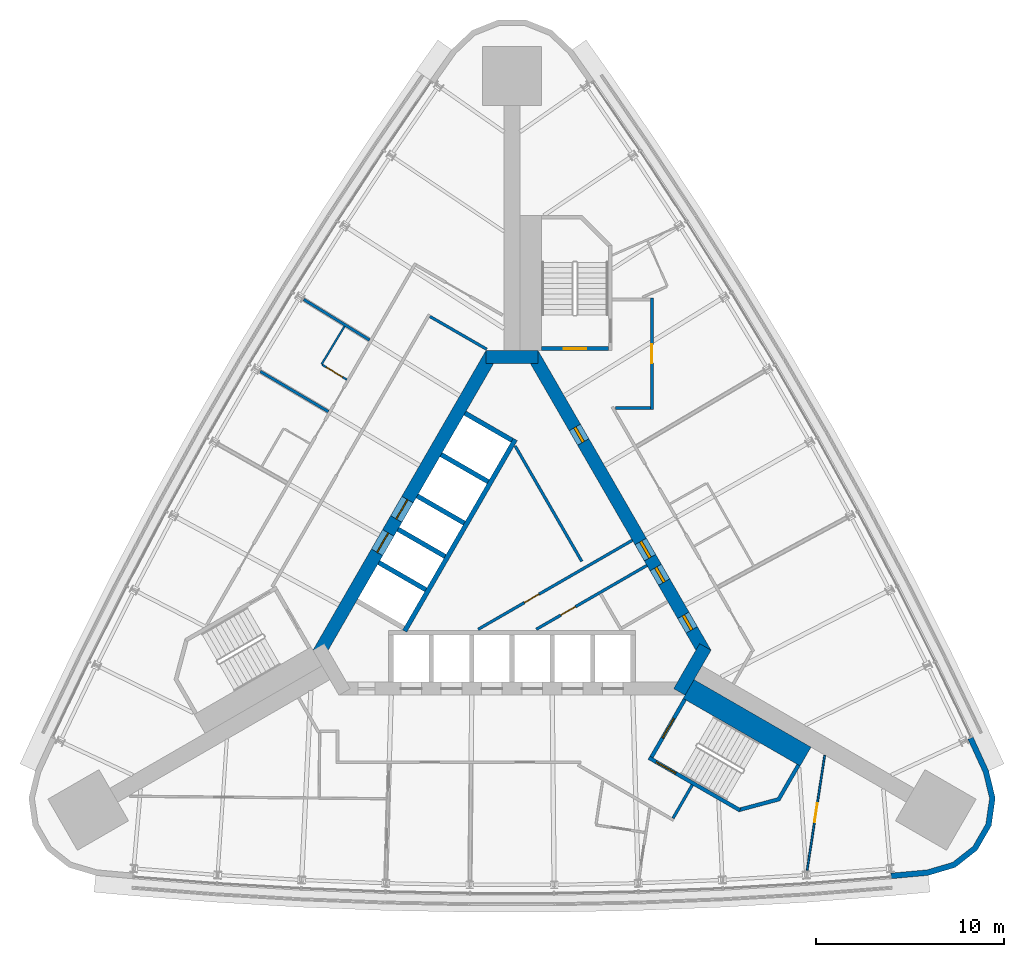
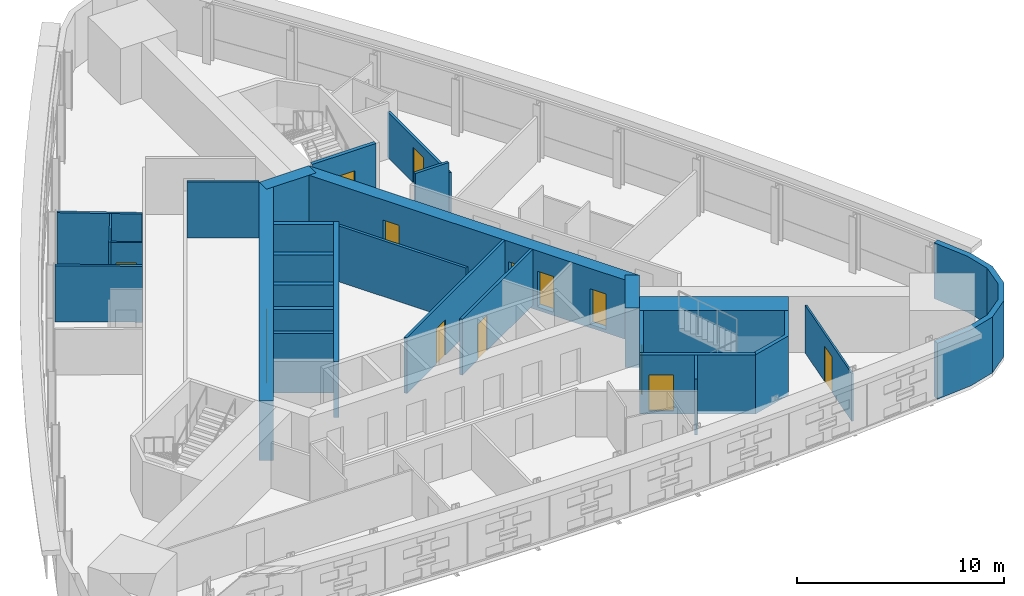
# One storey, part 9 of 13: 28 walls, 14 doors, 14 openings.
"""IFC4 building model written with IfcOpenShell, lengths in metres."""

import ifcopenshell
import ifcopenshell.guid

model = None  # the IFC model being written
_history = None  # IfcOwnerHistory: only IFC2X3 demands one
_inside = {}  # id of a spatial element -> (the spatial element, [elements in it])
_under = {}  # id of a project, library or spatial element -> (it, [spatial elements below it])
_declared = {}  # id of a project -> (the project, [libraries it declares])
_typed = {}  # id of a type object -> (the type object, [elements of that type])
_made_of = {}  # id of a material, layer set ... -> (it, [elements and type objects made of it])


def new_model(schema):
    """Start an empty IFC model of exactly this schema.

    Asked for "IFC4X3", IfcOpenShell would pick the latest addendum, in which some entities
    have other attributes; the version numbers below select the first issue.
    IFC2X3 requires an IfcOwnerHistory on every rooted entity: one is made here for all.
    """
    global model, _history
    if schema == "IFC4X3":
        model = ifcopenshell.file(schema_version=(4, 3, 0, 0))
    else:
        model = ifcopenshell.file(schema=schema)
    _inside.clear()
    _under.clear()
    _declared.clear()
    _typed.clear()
    _made_of.clear()
    _history = None
    if model.schema == "IFC2X3":
        org = make("IfcOrganization", Name="unknown")
        user = make(
            "IfcPersonAndOrganization",
            ThePerson=make("IfcPerson", FamilyName="unknown"),
            TheOrganization=org,
        )
        app = make(
            "IfcApplication",
            ApplicationDeveloper=org,
            Version="unknown",
            ApplicationFullName="unknown",
            ApplicationIdentifier="unknown",
        )
        _history = make(
            "IfcOwnerHistory",
            OwningUser=user,
            OwningApplication=app,
            ChangeAction="ADDED",
            CreationDate=0,
        )
    return model


def make(cls, **values):
    """One entity of the class cls with the attributes given. An attribute that is None is left unset."""
    return model.create_entity(
        cls, **{name: value for name, value in values.items() if value is not None}
    )


def rooted(cls, **values):
    """An entity with a GlobalId (a new one), such as an element, a storey or a relation."""
    return make(cls, GlobalId=ifcopenshell.guid.new(), OwnerHistory=_history, **values)


def si_unit(unit_type, name, prefix=None):
    """IfcSIUnit, for example si_unit("LENGTHUNIT", "METRE", prefix="MILLI")."""
    return make("IfcSIUnit", UnitType=unit_type, Prefix=prefix, Name=name)


def assignment(units):
    """IfcUnitAssignment: the units of a project."""
    return None if units is None else make("IfcUnitAssignment", Units=units)


def point(xyz):
    """IfcCartesianPoint."""
    return None if xyz is None else make("IfcCartesianPoint", Coordinates=xyz)


def direction(xyz):
    """IfcDirection."""
    return None if xyz is None else make("IfcDirection", DirectionRatios=xyz)


def frame(location, z_axis=None, x_axis=None):
    """IfcAxis2Placement3D, a coordinate frame: its origin and axes. An axis left out is left unset."""
    return make(
        "IfcAxis2Placement3D",
        Location=point(location),
        Axis=direction(z_axis),
        RefDirection=direction(x_axis),
    )


def frame_2d(location, x_axis=None):
    """IfcAxis2Placement2D, a coordinate frame in the plane: its origin and x axis."""
    return make(
        "IfcAxis2Placement2D", Location=point(location), RefDirection=direction(x_axis)
    )


def origin():
    """The frame at (0, 0, 0) with its axes left unset."""
    return frame((0.0, 0.0, 0.0))


def place(relative_to, where):
    """IfcLocalPlacement: puts the frame where relative to a parent placement (None: the world)."""
    return make(
        "IfcLocalPlacement", PlacementRelTo=relative_to, RelativePlacement=where
    )


def context(
    kind, dimensions, precision=None, world=None, true_north=None, identifier=None
):
    """IfcGeometricRepresentationContext, for example the 3D "Model" context."""
    return make(
        "IfcGeometricRepresentationContext",
        ContextIdentifier=identifier,
        ContextType=kind,
        CoordinateSpaceDimension=dimensions,
        Precision=precision,
        WorldCoordinateSystem=world,
        TrueNorth=true_north,
    )


def subcontext(parent, identifier, kind, view, scale=None):
    """IfcGeometricRepresentationSubContext, for example "Body" below "Model"."""
    return make(
        "IfcGeometricRepresentationSubContext",
        ContextIdentifier=identifier,
        ContextType=kind,
        ParentContext=parent,
        TargetScale=scale,
        TargetView=view,
    )


def project(units=None, contexts=None):
    """IfcProject with its units and contexts."""
    return rooted(
        "IfcProject",
        Name="project",
        RepresentationContexts=contexts,
        UnitsInContext=assignment(units),
    )


def spatial(cls, under=None, at=None, **own):
    """A site, building, storey or space (cls), placed at a placement, below another one or the project."""
    s = rooted(cls, ObjectPlacement=at, **own)
    if under is not None:
        _under.setdefault(under.id(), (under, []))[1].append(s)
    return s


def polyline(points):
    """IfcPolyline through the points."""
    return make("IfcPolyline", Points=[point(p) for p in points])


def profile(cls, at=None, kind="AREA", **sizes):
    """A parametric profile (cls). Its sizes go by their IFC names, for example OverallWidth=200.0."""
    return make(cls, ProfileType=kind, Position=at, **sizes)


def rectangle(**sizes):
    """IfcRectangleProfileDef."""
    return profile("IfcRectangleProfileDef", **sizes)


def outline(outer, holes=None, kind="AREA"):
    """IfcArbitraryClosedProfileDef: a profile drawn as a closed curve; with holes, ...WithVoids."""
    if holes is None:
        return make("IfcArbitraryClosedProfileDef", ProfileType=kind, OuterCurve=outer)
    return make(
        "IfcArbitraryProfileDefWithVoids",
        ProfileType=kind,
        OuterCurve=outer,
        InnerCurves=holes,
    )


def extrude(swept, where, along, depth):
    """IfcExtrudedAreaSolid: the profile swept, set in the frame where, extruded along a direction by depth."""
    return make(
        "IfcExtrudedAreaSolid",
        SweptArea=swept,
        Position=where,
        ExtrudedDirection=direction(along),
        Depth=depth,
    )


def shape(context_of_items, identifier, shape_type, items):
    """IfcShapeRepresentation: the items that make up one representation, for example the "Body"."""
    return make(
        "IfcShapeRepresentation",
        ContextOfItems=context_of_items,
        RepresentationIdentifier=identifier,
        RepresentationType=shape_type,
        Items=items,
    )


def material(Name=None, Category=None):
    """IfcMaterial."""
    return make("IfcMaterial", Name=Name, Category=Category)


def layer(
    of_material, thickness, ventilated=None, Name=None, Category=None, Priority=None
):
    """IfcMaterialLayer: one layer of a wall or slab, of a material (None: an air gap)."""
    return make(
        "IfcMaterialLayer",
        Material=of_material,
        LayerThickness=thickness,
        IsVentilated=ventilated,
        Name=Name,
        Category=Category,
        Priority=Priority,
    )


def layer_set(layers, Name=None):
    """IfcMaterialLayerSet."""
    return make("IfcMaterialLayerSet", MaterialLayers=layers, LayerSetName=Name)


def made_of(thing, what):
    """Note that an element or type object is made of a material, layer set ...; save() writes the relation."""
    if what is not None:
        _made_of.setdefault(what.id(), (what, []))[1].append(thing)
    return thing


def type_object(cls, material=None, **own):
    """A type object (cls), such as IfcWallType, which elements share."""
    return made_of(rooted(cls, **own), material)


def element(
    cls,
    number,
    at=None,
    inside=None,
    cuts=None,
    type_object=None,
    material=None,
    context=None,
    identifier="Body",
    shape_type=None,
    held_by="IfcProductDefinitionShape",
    body=None,
    shapes=None,
    **own,
):
    """One element of the class cls, such as IfcWall. Its Tag is "e" and its number.

    at: its placement. inside: the storey or other place that contains it. cuts: it is an
    opening in that element (IfcRelVoidsElement). A single representation is given by context,
    identifier, shape_type and body (its items); several are given by shapes. held_by: the class
    of the entity that holds the representations. save() writes the other relations.
    """
    e = rooted(cls, Tag="e%d" % number, ObjectPlacement=at, **own)
    if body is not None:
        shapes = [shape(context, identifier, shape_type, body)]
    if shapes is not None:
        e.Representation = make(held_by, Representations=shapes)
    if inside is not None:
        _inside.setdefault(inside.id(), (inside, []))[1].append(e)
    if cuts is not None:
        rooted(
            "IfcRelVoidsElement", RelatingBuildingElement=cuts, RelatedOpeningElement=e
        )
    if type_object is not None:
        _typed.setdefault(type_object.id(), (type_object, []))[1].append(e)
    return made_of(e, material)


def fill(opening, filler):
    """IfcRelFillsElement: the door or window that sits in an opening."""
    return rooted(
        "IfcRelFillsElement",
        RelatingOpeningElement=opening,
        RelatedBuildingElement=filler,
    )


def aggregate(whole, parts):
    """IfcRelAggregates: a whole, such as a stair, and the parts it consists of."""
    return rooted("IfcRelAggregates", RelatingObject=whole, RelatedObjects=parts)


def save(model, path):
    """Write the relations noted so far, then the file.

    IfcRelAggregates (storeys below a building ...), IfcRelContainedInSpatialStructure (elements
    in a storey), IfcRelDefinesByType, IfcRelAssociatesMaterial and IfcRelDeclares: one each for
    every whole, place, type object, material and project.
    """
    for whole, parts in _under.values():
        aggregate(whole, parts)
    for where, things in _inside.values():
        rooted(
            "IfcRelContainedInSpatialStructure",
            RelatedElements=things,
            RelatingStructure=where,
        )
    for kind, things in _typed.values():
        rooted("IfcRelDefinesByType", RelatedObjects=things, RelatingType=kind)
    for what, things in _made_of.values():
        rooted("IfcRelAssociatesMaterial", RelatedObjects=things, RelatingMaterial=what)
    for by, libraries in _declared.values():
        rooted("IfcRelDeclares", RelatingContext=by, RelatedDefinitions=libraries)
    model.write(path)


model = new_model("IFC4")

# Units and contexts
model_context = context("Model", 3, precision=1e-05, world=origin(), true_north=direction((0.0, 1.0)))
body_context = subcontext(model_context, "Body", "Model", "MODEL_VIEW")
ifc_project = project(units=[si_unit("LENGTHUNIT", "METRE"), si_unit("AREAUNIT", "SQUARE_METRE"), si_unit("VOLUMEUNIT", "CUBIC_METRE"), si_unit("PLANEANGLEUNIT", "RADIAN"), si_unit("MASSUNIT", "GRAM", prefix="KILO")], contexts=[model_context])

# Site, building, storey
site_placement = place(None, origin())
site = spatial("IfcSite", under=ifc_project, at=site_placement, CompositionType="ELEMENT")
building_placement = place(site_placement, origin())
building = spatial("IfcBuilding", under=site, at=building_placement, Name="Noor Cloister Tower", CompositionType="ELEMENT")
storey_placement = place(building_placement, frame((0.0, 0.0, 83.39990234375)))
storey = spatial("IfcBuildingStorey", under=building, at=storey_placement, Name="L21", CompositionType="ELEMENT", Elevation=83.39990234375)

# Wall, opening, door
ifc_material_1 = material(Name="Concrete C30/37", Category="concrete")
ifc_layer_1 = layer(ifc_material_1, 0.14990234375)
ifc_layer_set_1 = layer_set([ifc_layer_1], Name="Core partition 150 C30/37")
wall_type_1 = type_object("IfcWallType", Name="Core partition 150 C30/37", PredefinedType="PARTITIONING", material=ifc_layer_set_1)
wall_1_placement = place(storey_placement, frame((-1.804443359375, -3.4130859375, 0.0), z_axis=(0.0, 0.0, 1.0), x_axis=(0.866035761792, 0.499982058975, 0.0)))
wall_1 = element("IfcWall", 1, at=wall_1_placement, inside=storey, type_object=wall_type_1, Name="Core room partition L21 1", PredefinedType="PARTITIONING", context=body_context, shape_type="SweptSolid", body=[
    extrude(rectangle(XDim=9.497314453125, YDim=0.14990234375, at=frame_2d((4.74853515625, 0.0))), origin(), (0.0, 0.0, 1.0), 3.300048828125),
])
opening_1_placement = place(wall_1_placement, frame((2.849609375, 0.0, 0.0)))
opening_1 = element("IfcOpeningElement", 2, at=opening_1_placement, cuts=wall_1, Name="Opening L21-906", PredefinedType="OPENING", context=body_context, shape_type="SweptSolid", body=[
    extrude(rectangle(XDim=0.89990234375, YDim=2.10009765625, at=frame_2d((0.449951171875, 1.050048828125))), frame((0.0, 0.0849609375, 0.0), z_axis=(0.0, -1.0, 0.0), x_axis=(1.0, 0.0, 0.0)), (0.0, 0.0, 1.0), 0.169921875),
])
ifc_material_2 = material(Name="Steel", Category="steel")
door_type_1 = type_object("IfcDoorType", Name="Core door 900 x 2100 FD60", OperationType="SINGLE_SWING_LEFT", PredefinedType="DOOR", material=ifc_material_2)
door_1_placement = place(opening_1_placement, origin())
door_1 = element("IfcDoor", 3, at=door_1_placement, inside=storey, type_object=door_type_1, Name="Core door 6 L21", OperationType="SINGLE_SWING_RIGHT", OverallHeight=2.10009765625, OverallWidth=0.89990234375, PredefinedType="DOOR", context=body_context, shape_type="SweptSolid", body=[
    extrude(rectangle(XDim=0.89990234375, YDim=2.10009765625, at=frame_2d((0.449951171875, 1.050048828125))), frame((0.0, 0.02490234375, 0.0), z_axis=(0.0, -1.0, 0.0), x_axis=(1.0, 0.0, 0.0)), (0.0, 0.0, 1.0), 0.050048828125),
])
fill(opening_1, door_1)

# Wall
wall_2_placement = place(storey_placement, frame((3.7216796875, 0.210205078125, 0.0), z_axis=(0.0, 0.0, 1.0), x_axis=(-0.500005825834, 0.866022040212, 0.0)))
element("IfcWall", 4, at=wall_2_placement, inside=storey, type_object=wall_type_1, Name="Core room partition L21 2", PredefinedType="PARTITIONING", context=body_context, shape_type="SweptSolid", body=[
    extrude(rectangle(XDim=7.10986328125, YDim=0.14990234375, at=frame_2d((3.554931640625, 0.0))), origin(), (0.0, 0.0, 1.0), 3.300048828125),
])

# Wall, opening, door
wall_3_placement = place(storey_placement, frame((1.295654296875, -3.4130859375, 0.0), z_axis=(0.0, 0.0, 1.0), x_axis=(0.866029230515, 0.49999337185, 0.0)))
wall_3 = element("IfcWall", 5, at=wall_3_placement, inside=storey, type_object=wall_type_1, Name="Core room partition L21 3", PredefinedType="PARTITIONING", context=body_context, shape_type="SweptSolid", body=[
    extrude(rectangle(XDim=6.8125, YDim=0.14990234375, at=frame_2d((3.40625, 0.0))), origin(), (0.0, 0.0, 1.0), 3.300048828125),
])
opening_2_placement = place(wall_3_placement, frame((1.50732421875, 0.0, 0.0)))
opening_2 = element("IfcOpeningElement", 6, at=opening_2_placement, cuts=wall_3, Name="Opening L21-905", PredefinedType="OPENING", context=body_context, shape_type="SweptSolid", body=[
    extrude(rectangle(XDim=0.89990234375, YDim=2.10009765625, at=frame_2d((0.449951171875, 1.050048828125))), frame((0.0, 0.0849609375, 0.0), z_axis=(0.0, -1.0, 0.0), x_axis=(1.0, 0.0, 0.0)), (0.0, 0.0, 1.0), 0.169921875),
])
ifc_material_3 = material(Name="Steel", Category="steel")
door_type_2 = type_object("IfcDoorType", Name="Core door 900 x 2100 FD120", OperationType="SINGLE_SWING_LEFT", PredefinedType="DOOR", material=ifc_material_3)
door_2_placement = place(opening_2_placement, origin())
door_2 = element("IfcDoor", 7, at=door_2_placement, inside=storey, type_object=door_type_2, Name="Core door 5 L21", OperationType="SINGLE_SWING_LEFT", OverallHeight=2.10009765625, OverallWidth=0.89990234375, PredefinedType="DOOR", context=body_context, shape_type="SweptSolid", body=[
    extrude(rectangle(XDim=0.89990234375, YDim=2.10009765625, at=frame_2d((0.449951171875, 1.050048828125))), frame((0.0, 0.02490234375, 0.0), z_axis=(0.0, -1.0, 0.0), x_axis=(1.0, 0.0, 0.0)), (0.0, 0.0, 1.0), 0.050048828125),
])
fill(opening_2, door_2)

# Wall
ifc_material_4 = material(Name="Concrete C80/95", Category="concrete")
ifc_layer_2 = layer(ifc_material_4, 0.699951171875)
ifc_layer_set_2 = layer_set([ifc_layer_2], Name="Core wall 700 C80/95")
wall_type_2 = type_object("IfcWallType", Name="Core wall 700 C80/95", PredefinedType="SHEAR", material=ifc_layer_set_2)
wall_4_placement = place(storey_placement, frame((8.925537109375, -6.753173828125, -0.199951171875), z_axis=(0.0, 0.0, 1.0), x_axis=(0.500042739161, 0.866000726912, 0.0)))
element("IfcWall", 8, at=wall_4_placement, inside=storey, type_object=wall_type_2, Name="Core wall L21 2", PredefinedType="SHEAR", context=body_context, shape_type="SweptSolid", body=[
    extrude(rectangle(XDim=2.771240234375, YDim=0.699951171875, at=frame_2d((1.3857421875, 0.0))), origin(), (0.0, 0.0, 1.0), 3.5),
])

# Wall, openings, doors
wall_5_placement = place(storey_placement, frame((10.311279296875, -4.703125, -0.199951171875), z_axis=(0.0, 0.0, 1.0), x_axis=(-0.500001446645, 0.866024568562, 0.0)))
wall_5 = element("IfcWall", 9, at=wall_5_placement, inside=storey, type_object=wall_type_2, Name="Core wall L21 3", PredefinedType="SHEAR", context=body_context, shape_type="SweptSolid", body=[
    extrude(rectangle(XDim=18.45751953125, YDim=0.699951171875, at=frame_2d((9.228759765625, 0.0))), origin(), (0.0, 0.0, 1.0), 3.5),
])
opening_3_placement = place(wall_5_placement, frame((5.89990234375, 0.0, 0.199951171875)))
opening_3 = element("IfcOpeningElement", 10, at=opening_3_placement, cuts=wall_5, Name="Opening L21-901", PredefinedType="OPENING", context=body_context, shape_type="SweptSolid", body=[
    extrude(rectangle(XDim=1.0, YDim=2.10009765625, at=frame_2d((0.5, 1.050048828125))), frame((0.0, 0.35986328125, 0.0), z_axis=(0.0, -1.0, 0.0), x_axis=(1.0, 0.0, 0.0)), (0.0, 0.0, 1.0), 0.719970703125),
])
opening_4_placement = place(wall_5_placement, frame((1.451904296875, 0.0, 0.199951171875)))
opening_4 = element("IfcOpeningElement", 11, at=opening_4_placement, cuts=wall_5, Name="Opening L21-902", PredefinedType="OPENING", context=body_context, shape_type="SweptSolid", body=[
    extrude(rectangle(XDim=0.89990234375, YDim=2.10009765625, at=frame_2d((0.449951171875, 1.050048828125))), frame((0.0, 0.35986328125, 0.0), z_axis=(0.0, -1.0, 0.0), x_axis=(1.0, 0.0, 0.0)), (0.0, 0.0, 1.0), 0.719970703125),
])
opening_5_placement = place(wall_5_placement, frame((4.39599609375, 0.0, 0.199951171875)))
opening_5 = element("IfcOpeningElement", 12, at=opening_5_placement, cuts=wall_5, Name="Opening L21-903", PredefinedType="OPENING", context=body_context, shape_type="SweptSolid", body=[
    extrude(rectangle(XDim=0.89990234375, YDim=2.10009765625, at=frame_2d((0.449951171875, 1.050048828125))), frame((0.0, 0.35986328125, 0.0), z_axis=(0.0, -1.0, 0.0), x_axis=(1.0, 0.0, 0.0)), (0.0, 0.0, 1.0), 0.719970703125),
])
opening_6_placement = place(wall_5_placement, frame((13.022705078125, 0.0, 0.199951171875)))
opening_6 = element("IfcOpeningElement", 13, at=opening_6_placement, cuts=wall_5, Name="Opening L21-904", PredefinedType="OPENING", context=body_context, shape_type="SweptSolid", body=[
    extrude(rectangle(XDim=0.89990234375, YDim=2.10009765625, at=frame_2d((0.449951171875, 1.050048828125))), frame((0.0, 0.35986328125, 0.0), z_axis=(0.0, -1.0, 0.0), x_axis=(1.0, 0.0, 0.0)), (0.0, 0.0, 1.0), 0.719970703125),
])
ifc_material_5 = material(Name="Steel", Category="steel")
door_type_3 = type_object("IfcDoorType", Name="Core door 1000 x 2100 FD120", OperationType="SINGLE_SWING_LEFT", PredefinedType="DOOR", material=ifc_material_5)
door_3_placement = place(opening_3_placement, origin())
door_3 = element("IfcDoor", 14, at=door_3_placement, inside=storey, type_object=door_type_3, Name="Core door 1 L21", OperationType="SINGLE_SWING_LEFT", OverallHeight=2.10009765625, OverallWidth=1.0, PredefinedType="DOOR", context=body_context, shape_type="SweptSolid", body=[
    extrude(rectangle(XDim=1.0, YDim=2.10009765625, at=frame_2d((0.5, 1.050048828125))), frame((0.0, 0.074951171875, 0.0), z_axis=(0.0, -1.0, 0.0), x_axis=(1.0, 0.0, 0.0)), (0.0, 0.0, 1.0), 0.14990234375),
])
fill(opening_3, door_3)
door_4_placement = place(opening_5_placement, origin())
door_4 = element("IfcDoor", 15, at=door_4_placement, inside=storey, type_object=door_type_2, Name="Core door 3 L21", OperationType="SINGLE_SWING_LEFT", OverallHeight=2.10009765625, OverallWidth=0.89990234375, PredefinedType="DOOR", context=body_context, shape_type="SweptSolid", body=[
    extrude(rectangle(XDim=0.89990234375, YDim=2.10009765625, at=frame_2d((0.449951171875, 1.050048828125))), frame((0.0, 0.074951171875, 0.0), z_axis=(0.0, -1.0, 0.0), x_axis=(1.0, 0.0, 0.0)), (0.0, 0.0, 1.0), 0.14990234375),
])
fill(opening_5, door_4)
door_5_placement = place(opening_6_placement, origin())
door_5 = element("IfcDoor", 16, at=door_5_placement, inside=storey, type_object=door_type_2, Name="Core door 4 L21", OperationType="SINGLE_SWING_RIGHT", OverallHeight=2.10009765625, OverallWidth=0.89990234375, PredefinedType="DOOR", context=body_context, shape_type="SweptSolid", body=[
    extrude(rectangle(XDim=0.89990234375, YDim=2.10009765625, at=frame_2d((0.449951171875, 1.050048828125))), frame((0.0, 0.074951171875, 0.0), z_axis=(0.0, -1.0, 0.0), x_axis=(1.0, 0.0, 0.0)), (0.0, 0.0, 1.0), 0.14990234375),
])
fill(opening_6, door_5)
door_6_placement = place(opening_4_placement, origin())
door_6 = element("IfcDoor", 17, at=door_6_placement, inside=storey, type_object=door_type_1, Name="Core door 2 L21", OperationType="SINGLE_SWING_RIGHT", OverallHeight=2.10009765625, OverallWidth=0.89990234375, PredefinedType="DOOR", context=body_context, shape_type="SweptSolid", body=[
    extrude(rectangle(XDim=0.89990234375, YDim=2.10009765625, at=frame_2d((0.449951171875, 1.050048828125))), frame((0.0, 0.074951171875, 0.0), z_axis=(0.0, -1.0, 0.0), x_axis=(1.0, 0.0, 0.0)), (0.0, 0.0, 1.0), 0.14990234375),
])
fill(opening_4, door_6)

# Wall
wall_6_placement = place(storey_placement, frame((1.3857421875, 11.1064453125, -0.199951171875), z_axis=(0.0, 0.0, 1.0), x_axis=(-1.0, 0.0, 0.0)))
element("IfcWall", 18, at=wall_6_placement, inside=storey, type_object=wall_type_2, Name="Core wall L21 4", PredefinedType="SHEAR", context=body_context, shape_type="SweptSolid", body=[
    extrude(rectangle(XDim=2.771484375, YDim=0.699951171875, at=frame_2d((1.3857421875, 0.0))), origin(), (0.0, 0.0, 1.0), 3.5),
])

# Wall, openings, doors
wall_7_placement = place(storey_placement, frame((-1.08251953125, 11.281494140625, -0.199951171875), z_axis=(0.0, 0.0, 1.0), x_axis=(-0.500001446645, -0.866024568562, 0.0)))
wall_7 = element("IfcWall", 19, at=wall_7_placement, inside=storey, type_object=wall_type_2, Name="Core wall L21 5", PredefinedType="SHEAR", context=body_context, shape_type="SweptSolid", body=[
    extrude(rectangle(XDim=18.45751953125, YDim=0.699951171875, at=frame_2d((9.228759765625, 0.0))), origin(), (0.0, 0.0, 1.0), 3.5),
])
opening_7_placement = place(wall_7_placement, frame((8.978759765625, 0.0, 0.199951171875)))
opening_7 = element("IfcOpeningElement", 20, at=opening_7_placement, cuts=wall_7, Name="Opening L21-FF1", PredefinedType="OPENING", context=body_context, shape_type="SweptSolid", body=[
    extrude(rectangle(XDim=1.199951171875, YDim=2.10009765625, at=frame_2d((0.60009765625, 1.050048828125))), frame((0.0, 0.35986328125, 0.0), z_axis=(0.0, -1.0, 0.0), x_axis=(1.0, 0.0, 0.0)), (0.0, 0.0, 1.0), 0.719970703125),
])
opening_8_placement = place(wall_7_placement, frame((11.02880859375, 0.0, 0.199951171875)))
opening_8 = element("IfcOpeningElement", 21, at=opening_8_placement, cuts=wall_7, Name="Opening L21-FF2", PredefinedType="OPENING", context=body_context, shape_type="SweptSolid", body=[
    extrude(rectangle(XDim=1.199951171875, YDim=2.10009765625, at=frame_2d((0.60009765625, 1.050048828125))), frame((0.0, 0.35986328125, 0.0), z_axis=(0.0, -1.0, 0.0), x_axis=(1.0, 0.0, 0.0)), (0.0, 0.0, 1.0), 0.719970703125),
])
ifc_material_6 = material(Name="Stainless steel", Category="steel")
door_type_4 = type_object("IfcDoorType", Name="Lift landing door 1200 x 2100", OperationType="DOUBLE_DOOR_SLIDING", PredefinedType="DOOR", material=ifc_material_6)
door_7_placement = place(opening_7_placement, origin())
door_7 = element("IfcDoor", 22, at=door_7_placement, inside=storey, type_object=door_type_4, Name="Landing door FF1 L21", OperationType="DOUBLE_DOOR_SLIDING", OverallHeight=2.10009765625, OverallWidth=1.199951171875, PredefinedType="DOOR", context=body_context, shape_type="SweptSolid", body=[
    extrude(rectangle(XDim=1.199951171875, YDim=2.10009765625, at=frame_2d((0.60009765625, 1.050048828125))), frame((0.0, 0.02490234375, 0.0), z_axis=(0.0, -1.0, 0.0), x_axis=(1.0, 0.0, 0.0)), (0.0, 0.0, 1.0), 0.050048828125),
])
fill(opening_7, door_7)
door_8_placement = place(opening_8_placement, origin())
door_8 = element("IfcDoor", 23, at=door_8_placement, inside=storey, type_object=door_type_4, Name="Landing door FF2 L21", OperationType="DOUBLE_DOOR_SLIDING", OverallHeight=2.10009765625, OverallWidth=1.199951171875, PredefinedType="DOOR", context=body_context, shape_type="SweptSolid", body=[
    extrude(rectangle(XDim=1.199951171875, YDim=2.10009765625, at=frame_2d((0.60009765625, 1.050048828125))), frame((0.0, 0.02490234375, 0.0), z_axis=(0.0, -1.0, 0.0), x_axis=(1.0, 0.0, 0.0)), (0.0, 0.0, 1.0), 0.050048828125),
])
fill(opening_8, door_8)

# Wall
ifc_material_7 = material(Name="Fire-rated gypsum board partition on steel studs, 150 mm", Category="steel")
ifc_layer_3 = layer(ifc_material_7, 0.14990234375)
ifc_layer_set_3 = layer_set([ifc_layer_3], Name="Fire lobby wall 150")
wall_type_3 = type_object("IfcWallType", Name="Fire lobby wall 150", PredefinedType="PARTITIONING", material=ifc_layer_set_3)
wall_8_placement = place(storey_placement, frame((-4.379150390625, 13.271484375, 0.0), z_axis=(0.0, 0.0, 1.0), x_axis=(0.866019471182, -0.500010275428, 0.0)))
element("IfcWall", 24, at=wall_8_placement, inside=storey, type_object=wall_type_3, Name="Fire lobby wall 150 L21 008", PredefinedType="PARTITIONING", context=body_context, shape_type="SweptSolid", body=[
    extrude(rectangle(XDim=3.5, YDim=0.14990234375, at=frame_2d((1.75, 0.0))), origin(), (0.0, 0.0, 1.0), 3.300048828125),
])

# Wall, opening, door
ifc_material_8 = material(Name="Gypsum board partition on steel studs, 150 mm", Category="steel")
ifc_layer_4 = layer(ifc_material_8, 0.14990234375)
ifc_layer_set_4 = layer_set([ifc_layer_4], Name="Flat wall 150")
wall_type_4 = type_object("IfcWallType", Name="Flat wall 150", PredefinedType="PARTITIONING", material=ifc_layer_set_4)
wall_9_placement = place(storey_placement, frame((7.460693359375, 14.25634765625, 0.0), z_axis=(0.0, 0.0, 1.0), x_axis=(0.0, -1.0, 0.0)))
wall_9 = element("IfcWall", 25, at=wall_9_placement, inside=storey, type_object=wall_type_4, Name="Flat wall 150 L21 005", PredefinedType="PARTITIONING", context=body_context, shape_type="SweptSolid", body=[
    extrude(rectangle(XDim=5.949951171875, YDim=0.14990234375, at=frame_2d((2.97509765625, 0.0))), origin(), (0.0, 0.0, 1.0), 2.677978515625),
])
opening_9_placement = place(wall_9_placement, frame((2.47509765625, 0.0, 0.0)))
opening_9 = element("IfcOpeningElement", 26, at=opening_9_placement, cuts=wall_9, Name="Opening L21-011", PredefinedType="OPENING", context=body_context, shape_type="SweptSolid", body=[
    extrude(rectangle(XDim=1.0, YDim=2.10009765625, at=frame_2d((0.5, 1.050048828125))), frame((0.0, 0.0849609375, 0.0), z_axis=(0.0, -1.0, 0.0), x_axis=(1.0, 0.0, 0.0)), (0.0, 0.0, 1.0), 0.169921875),
])
ifc_material_9 = material(Name="Timber door leaf with steel frame", Category="steel")
door_type_5 = type_object("IfcDoorType", Name="Flat entrance door 1000 FD60S", OperationType="NOTDEFINED", PredefinedType="DOOR", material=ifc_material_9)
door_9_placement = place(opening_9_placement, origin())
door_9 = element("IfcDoor", 27, at=door_9_placement, inside=storey, type_object=door_type_5, Name="Flat entrance door 1000 L21-011", OperationType="SINGLE_SWING_RIGHT", OverallHeight=2.10009765625, OverallWidth=1.0, PredefinedType="DOOR", context=body_context, shape_type="SweptSolid", body=[
    extrude(rectangle(XDim=1.0, YDim=2.10009765625, at=frame_2d((0.5, 1.050048828125))), frame((0.0, 0.02490234375, 0.0), z_axis=(0.0, -1.0, 0.0), x_axis=(1.0, 0.0, 0.0)), (0.0, 0.0, 1.0), 0.050048828125),
])
fill(opening_9, door_9)

# Walls
wall_10_placement = place(storey_placement, frame((8.588623046875, -13.48681640625, 0.0), z_axis=(0.0, 0.0, 1.0), x_axis=(0.499956128963, 0.866050731258, 0.0)))
element("IfcWall", 28, at=wall_10_placement, inside=storey, type_object=wall_type_4, Name="Flat wall 150 L21 010", PredefinedType="PARTITIONING", context=body_context, shape_type="SweptSolid", body=[
    extrude(rectangle(XDim=2.050048828125, YDim=0.14990234375, at=frame_2d((1.02490234375, 0.0))), origin(), (0.0, 0.0, 1.0), 3.300048828125),
])
wall_11_placement = place(storey_placement, frame((5.513671875, 8.38134765625, 0.0), z_axis=(0.0, 0.0, 1.0), x_axis=(1.0, 0.0, 0.0)))
element("IfcWall", 29, at=wall_11_placement, inside=storey, type_object=wall_type_4, Name="Flat wall 150 L21 013", PredefinedType="PARTITIONING", context=body_context, shape_type="SweptSolid", body=[
    extrude(rectangle(XDim=1.871826171875, YDim=0.14990234375, at=frame_2d((0.93603515625, 0.0))), origin(), (0.0, 0.0, 1.0), 3.300048828125),
])
wall_12_placement = place(storey_placement, frame((-13.421142578125, 10.337646484375, 0.0), z_axis=(0.0, 0.0, 1.0), x_axis=(0.861127198417, -0.508389563372, 0.0)))
element("IfcWall", 30, at=wall_12_placement, inside=storey, type_object=wall_type_4, Name="Flat wall 150 L21 020", PredefinedType="PARTITIONING", context=body_context, shape_type="SweptSolid", body=[
    extrude(rectangle(XDim=4.212890625, YDim=0.14990234375, at=frame_2d((2.1064453125, 0.0))), origin(), (0.0, 0.0, 1.0), 3.300048828125),
])
wall_13_placement = place(storey_placement, frame((-11.103759765625, 14.177001953125, 0.0), z_axis=(0.0, 0.0, 1.0), x_axis=(0.851052327985, -0.525080884276, 0.0)))
element("IfcWall", 31, at=wall_13_placement, inside=storey, type_object=wall_type_4, Name="Flat wall 150 L21 021", PredefinedType="PARTITIONING", context=body_context, shape_type="SweptSolid", body=[
    extrude(rectangle(XDim=4.1259765625, YDim=0.14990234375, at=frame_2d((2.06298828125, 0.0))), origin(), (0.0, 0.0, 1.0), 3.300048828125),
])
ifc_material_10 = material(Name="Limestone", Category="masonry")
ifc_layer_5 = layer(ifc_material_10, 0.300048828125)
ifc_layer_set_5 = layer_set([ifc_layer_5], Name="Limestone cladding 300")
wall_type_5 = type_object("IfcWallType", Name="Limestone cladding 300", PredefinedType="NOTDEFINED", material=ifc_layer_set_5)
wall_14_placement = place(storey_placement, origin())
element("IfcWall", 32, at=wall_14_placement, inside=storey, type_object=wall_type_5, Name="Limestone pier cladding L21 2.1", PredefinedType="NOTDEFINED", context=body_context, shape_type="SweptSolid", body=[
    extrude(outline(polyline([(20.22412109375, -16.7158203125), (22.203125, -16.533447265625), (23.636474609375, -16.111083984375), (24.810546875, -15.18701171875), (25.5576171875, -13.89306640625), (25.770751953125, -12.4140625), (25.419921875, -10.961669921875), (24.58837890625, -9.15673828125), (24.31591796875, -9.2822265625), (25.135009765625, -11.060791015625), (25.465576171875, -12.428466796875), (25.268798828125, -13.79296875), (24.57958984375, -14.987060546875), (23.49609375, -15.839599609375), (22.146484375, -16.2373046875), (20.196533203125, -16.417236328125), (20.22412109375, -16.7158203125)])), origin(), (0.0, 0.0, 1.0), 3.300048828125),
])

# Wall, opening, door
ifc_material_11 = material(Name="Gypsum board partition on steel studs, 100 mm", Category="steel")
ifc_layer_6 = layer(ifc_material_11, 0.10009765625)
ifc_layer_set_6 = layer_set([ifc_layer_6], Name="Partition 100")
wall_type_6 = type_object("IfcWallType", Name="Partition 100", PredefinedType="PARTITIONING", material=ifc_layer_set_6)
wall_15_placement = place(storey_placement, frame((16.673828125, -10.138427734375, 0.0), z_axis=(0.0, 0.0, 1.0), x_axis=(-0.150869779888, -0.98855364524, 0.0)))
wall_15 = element("IfcWall", 33, at=wall_15_placement, inside=storey, type_object=wall_type_6, Name="Partition 100 L21 023", PredefinedType="PARTITIONING", context=body_context, shape_type="SweptSolid", body=[
    extrude(rectangle(XDim=6.1962890625, YDim=0.10009765625, at=frame_2d((3.09814453125, 0.0))), origin(), (0.0, 0.0, 1.0), 2.822998046875),
])
opening_10_placement = place(wall_15_placement, frame((2.58837890625, 0.0, 0.0)))
opening_10 = element("IfcOpeningElement", 34, at=opening_10_placement, cuts=wall_15, Name="Opening L21-014", PredefinedType="OPENING", context=body_context, shape_type="SweptSolid", body=[
    extrude(rectangle(XDim=1.0, YDim=2.10009765625, at=frame_2d((0.5, 1.050048828125))), frame((0.0, 0.06005859375, 0.0), z_axis=(0.0, -1.0, 0.0), x_axis=(1.0, 0.0, 0.0)), (0.0, 0.0, 1.0), 0.1201171875),
])
ifc_material_12 = material(Name="Timber door leaf with steel frame", Category="steel")
door_type_6 = type_object("IfcDoorType", Name="Interior door 1000", OperationType="NOTDEFINED", PredefinedType="DOOR", material=ifc_material_12)
door_10_placement = place(opening_10_placement, origin())
door_10 = element("IfcDoor", 35, at=door_10_placement, inside=storey, type_object=door_type_6, Name="Interior door 1000 L21-014", OperationType="SINGLE_SWING_LEFT", OverallHeight=2.10009765625, OverallWidth=1.0, PredefinedType="DOOR", context=body_context, shape_type="SweptSolid", body=[
    extrude(rectangle(XDim=1.0, YDim=2.10009765625, at=frame_2d((0.5, 1.050048828125))), frame((0.0, 0.02490234375, 0.0), z_axis=(0.0, -1.0, 0.0), x_axis=(1.0, 0.0, 0.0)), (0.0, 0.0, 1.0), 0.050048828125),
])
fill(opening_10, door_10)

# Wall
wall_16_placement = place(storey_placement, frame((-8.929931640625, 12.746826171875, 0.0), z_axis=(0.0, 0.0, 1.0), x_axis=(-0.516762446906, -0.856128829948, 0.0)))
element("IfcWall", 36, at=wall_16_placement, inside=storey, type_object=wall_type_6, Name="Partition 100 L21 032", PredefinedType="PARTITIONING", context=body_context, shape_type="SweptSolid", body=[
    extrude(rectangle(XDim=2.3740234375, YDim=0.10009765625, at=frame_2d((1.18701171875, 0.0))), origin(), (0.0, 0.0, 1.0), 3.300048828125),
])

# Wall, opening, door
wall_17_placement = place(storey_placement, frame((-10.114013671875, 10.6884765625, 0.0), z_axis=(0.0, 0.0, 1.0), x_axis=(0.856147343639, -0.516731773728, 0.0)))
wall_17 = element("IfcWall", 37, at=wall_17_placement, inside=storey, type_object=wall_type_6, Name="Partition 100 L21 037", PredefinedType="PARTITIONING", context=body_context, shape_type="SweptSolid", body=[
    extrude(rectangle(XDim=1.524169921875, YDim=0.10009765625, at=frame_2d((0.76220703125, 0.0))), origin(), (0.0, 0.0, 1.0), 3.300048828125),
])
opening_11_placement = place(wall_17_placement, frame((0.256103515625, 0.0, 0.0)))
opening_11 = element("IfcOpeningElement", 38, at=opening_11_placement, cuts=wall_17, Name="Opening L21-022", PredefinedType="OPENING", context=body_context, shape_type="SweptSolid", body=[
    extrude(rectangle(XDim=1.0, YDim=2.10009765625, at=frame_2d((0.5, 1.050048828125))), frame((0.0, 0.06005859375, 0.0), z_axis=(0.0, -1.0, 0.0), x_axis=(1.0, 0.0, 0.0)), (0.0, 0.0, 1.0), 0.1201171875),
])
door_11_placement = place(opening_11_placement, origin())
door_11 = element("IfcDoor", 39, at=door_11_placement, inside=storey, type_object=door_type_6, Name="Interior door 1000 L21-022", OperationType="SINGLE_SWING_LEFT", OverallHeight=2.10009765625, OverallWidth=1.0, PredefinedType="DOOR", context=body_context, shape_type="SweptSolid", body=[
    extrude(rectangle(XDim=1.0, YDim=2.10009765625, at=frame_2d((0.5, 1.050048828125))), frame((0.0, 0.02490234375, 0.0), z_axis=(0.0, -1.0, 0.0), x_axis=(1.0, 0.0, 0.0)), (0.0, 0.0, 1.0), 0.050048828125),
])
fill(opening_11, door_11)

# Walls
ifc_material_13 = material(Name="Concrete C80/95", Category="concrete")
ifc_layer_7 = layer(ifc_material_13, 0.25)
ifc_layer_set_7 = layer_set([ifc_layer_7], Name="Shaft wall 250 C80/95")
wall_type_7 = type_object("IfcWallType", Name="Shaft wall 250 C80/95", PredefinedType="PARTITIONING", material=ifc_layer_set_7)
wall_18_placement = place(storey_placement, frame((-2.50634765625, 8.115478515625, -0.199951171875), z_axis=(0.0, 0.0, 1.0), x_axis=(0.865996321171, -0.50005036918, 0.0)))
element("IfcWall", 40, at=wall_18_placement, inside=storey, type_object=wall_type_7, Name="Lift shaft wall L21 NW 1", PredefinedType="PARTITIONING", context=body_context, shape_type="SweptSolid", body=[
    extrude(rectangle(XDim=2.900146484375, YDim=0.25, at=frame_2d((1.4501953125, 0.0))), origin(), (0.0, 0.0, 1.0), 3.5),
])
for number, where, z_axis, x_axis, name in (
    (41, (-3.78125, 5.906982421875, -0.199951171875), (0.0, 0.0, 1.0), (0.866032775405, -0.499987231761, 0.0), "Lift shaft wall L21 NW 2"),
    (42, (-5.056396484375, 3.69873046875, -0.199951171875), (0.0, 0.0, 1.0), (0.866032775405, -0.499987231761, 0.0), "Lift shaft wall L21 NW 3"),
    (43, (-6.081298828125, 1.92333984375, -0.199951171875), (0.0, 0.0, 1.0), (0.866032775405, -0.499987231761, 0.0), "Lift shaft wall L21 NW 4"),
    (44, (-7.106201171875, 0.14794921875, -0.199951171875), (0.0, 0.0, 1.0), (0.866032775405, -0.499987231761, 0.0), "Lift shaft wall L21 NW 5"),
):
    element("IfcWall", number, at=place(storey_placement, frame(where, z_axis=z_axis, x_axis=x_axis)), inside=storey, type_object=wall_type_7, Name=name, PredefinedType="PARTITIONING", context=body_context, shape_type="SweptSolid", body=[
        extrude(rectangle(XDim=2.89990234375, YDim=0.25, at=frame_2d((1.449951171875, 0.0))), origin(), (0.0, 0.0, 1.0), 3.5),
    ])
wall_19_placement = place(storey_placement, frame((0.176025390625, 6.711181640625, 0.0), z_axis=(0.0, 0.0, 1.0), x_axis=(-0.500004227369, -0.866022963098, 0.0)))
element("IfcWall", 45, at=wall_19_placement, inside=storey, type_object=wall_type_7, Name="Lift shaft back wall L21 NW", PredefinedType="PARTITIONING", context=body_context, shape_type="SweptSolid", body=[
    extrude(rectangle(XDim=11.80029296875, YDim=0.25, at=frame_2d((5.900146484375, 0.0))), origin(), (0.0, 0.0, 1.0), 3.300048828125),
])
ifc_material_14 = material(Name="Concrete C80/95", Category="concrete")
ifc_layer_8 = layer(ifc_material_14, 1.160888671875)
ifc_layer_set_8 = layer_set([ifc_layer_8], Name="Stair enclosure wall 1161 C80/95")
wall_type_8 = type_object("IfcWallType", Name="Stair enclosure wall 1161 C80/95", PredefinedType="SHEAR", material=ifc_layer_set_8)
wall_20_placement = place(storey_placement, frame((9.4189453125, -6.598876953125, -0.199951171875), z_axis=(0.0, 0.0, 1.0), x_axis=(0.866033125095, -0.499986626058, 0.0)))
element("IfcWall", 46, at=wall_20_placement, inside=storey, type_object=wall_type_8, Name="Stair enclosure wall ST3 L21 riser side", PredefinedType="SHEAR", context=body_context, shape_type="SweptSolid", body=[
    extrude(rectangle(XDim=7.199951171875, YDim=1.16064453125, at=frame_2d((3.60009765625, 0.0))), origin(), (0.0, 0.0, 1.0), 3.5),
])

# Wall, opening, door
ifc_material_15 = material(Name="Concrete C80/95", Category="concrete")
ifc_layer_9 = layer(ifc_material_15, 0.199951171875)
ifc_layer_set_9 = layer_set([ifc_layer_9], Name="Stair enclosure wall 200 C80/95")
wall_type_9 = type_object("IfcWallType", Name="Stair enclosure wall 200 C80/95", PredefinedType="SHEAR", material=ifc_layer_set_9)
wall_21_placement = place(storey_placement, frame((5.135498046875, 11.556396484375, -0.199951171875), z_axis=(0.0, 0.0, 1.0), x_axis=(-1.0, 0.0, 0.0)))
wall_21 = element("IfcWall", 47, at=wall_21_placement, inside=storey, type_object=wall_type_9, Name="Stair enclosure wall ST1 L21 near end", PredefinedType="SHEAR", context=body_context, shape_type="SweptSolid", body=[
    extrude(rectangle(XDim=3.5498046875, YDim=0.199951171875, at=frame_2d((1.77490234375, 0.0))), origin(), (0.0, 0.0, 1.0), 3.5),
])
opening_12_placement = place(wall_21_placement, frame((1.175048828125, 0.0, 0.199951171875)))
opening_12 = element("IfcOpeningElement", 48, at=opening_12_placement, cuts=wall_21, Name="Opening L21-ST1L", PredefinedType="OPENING", context=body_context, shape_type="SweptSolid", body=[
    extrude(rectangle(XDim=1.199951171875, YDim=2.10009765625, at=frame_2d((0.60009765625, 1.050048828125))), frame((0.0, 0.10986328125, 0.0), z_axis=(0.0, -1.0, 0.0), x_axis=(1.0, 0.0, 0.0)), (0.0, 0.0, 1.0), 0.219970703125),
])
ifc_material_16 = material(Name="Steel", Category="steel")
door_type_7 = type_object("IfcDoorType", Name="Stair door 1200 x 2100 FD120", OperationType="SINGLE_SWING_LEFT", PredefinedType="DOOR", material=ifc_material_16)
door_12_placement = place(opening_12_placement, origin())
door_12 = element("IfcDoor", 49, at=door_12_placement, inside=storey, type_object=door_type_7, Name="Stair door ST1 L21", OperationType="SINGLE_SWING_RIGHT", OverallHeight=2.10009765625, OverallWidth=1.199951171875, PredefinedType="DOOR", context=body_context, shape_type="SweptSolid", body=[
    extrude(rectangle(XDim=1.199951171875, YDim=2.10009765625, at=frame_2d((0.60009765625, 1.050048828125))), frame((0.0, 0.02490234375, 0.0), z_axis=(0.0, -1.0, 0.0), x_axis=(1.0, 0.0, 0.0)), (0.0, 0.0, 1.0), 0.050048828125),
])
fill(opening_12, door_12)

wall_22_placement = place(storey_placement, frame((7.440185546875, -10.225830078125, -0.199951171875), z_axis=(0.0, 0.0, 1.0), x_axis=(0.500022077904, 0.866012656725, 0.0)))
wall_22 = element("IfcWall", 50, at=wall_22_placement, inside=storey, type_object=wall_type_9, Name="Stair enclosure wall ST3 L21 near end", PredefinedType="SHEAR", context=body_context, shape_type="SweptSolid", body=[
    extrude(rectangle(XDim=3.550048828125, YDim=0.199951171875, at=frame_2d((1.77490234375, 0.0))), origin(), (0.0, 0.0, 1.0), 3.5),
])
opening_13_placement = place(wall_22_placement, frame((1.175048828125, 0.0, 0.199951171875)))
opening_13 = element("IfcOpeningElement", 51, at=opening_13_placement, cuts=wall_22, Name="Opening L21-ST3L", PredefinedType="OPENING", context=body_context, shape_type="SweptSolid", body=[
    extrude(rectangle(XDim=1.199951171875, YDim=2.10009765625, at=frame_2d((0.60009765625, 1.050048828125))), frame((0.0, 0.10986328125, 0.0), z_axis=(0.0, -1.0, 0.0), x_axis=(1.0, 0.0, 0.0)), (0.0, 0.0, 1.0), 0.219970703125),
])
door_13_placement = place(opening_13_placement, origin())
door_13 = element("IfcDoor", 52, at=door_13_placement, inside=storey, type_object=door_type_7, Name="Stair door ST3 L21", OperationType="SINGLE_SWING_RIGHT", OverallHeight=2.10009765625, OverallWidth=1.199951171875, PredefinedType="DOOR", context=body_context, shape_type="SweptSolid", body=[
    extrude(rectangle(XDim=1.199951171875, YDim=2.10009765625, at=frame_2d((0.60009765625, 1.050048828125))), frame((0.0, 0.02490234375, 0.0), z_axis=(0.0, -1.0, 0.0), x_axis=(1.0, 0.0, 0.0)), (0.0, 0.0, 1.0), 0.050048828125),
])
fill(opening_13, door_13)

wall_23_placement = place(storey_placement, frame((7.3037109375, -10.262451171875, -0.199951171875), z_axis=(0.0, 0.0, 1.0), x_axis=(0.866026594901, -0.49999793692, 0.0)))
wall_23 = element("IfcWall", 53, at=wall_23_placement, inside=storey, type_object=wall_type_9, Name="Stair enclosure wall ST3 L21 outer side", PredefinedType="SHEAR", context=body_context, shape_type="SweptSolid", body=[
    extrude(rectangle(XDim=5.60009765625, YDim=0.199951171875, at=frame_2d((2.800048828125, 0.0))), origin(), (0.0, 0.0, 1.0), 3.5),
])
opening_14_placement = place(wall_23_placement, frame((0.449951171875, 0.0, 0.199951171875)))
opening_14 = element("IfcOpeningElement", 54, at=opening_14_placement, cuts=wall_23, Name="Opening L21-ST3C", PredefinedType="OPENING", context=body_context, shape_type="SweptSolid", body=[
    extrude(rectangle(XDim=1.199951171875, YDim=2.10009765625, at=frame_2d((0.60009765625, 1.050048828125))), frame((0.0, 0.10986328125, 0.0), z_axis=(0.0, -1.0, 0.0), x_axis=(1.0, 0.0, 0.0)), (0.0, 0.0, 1.0), 0.219970703125),
])
door_14_placement = place(opening_14_placement, origin())
door_14 = element("IfcDoor", 55, at=door_14_placement, inside=storey, type_object=door_type_7, Name="Stair door ST3 L21", OperationType="SINGLE_SWING_LEFT", OverallHeight=2.10009765625, OverallWidth=1.199951171875, PredefinedType="DOOR", context=body_context, shape_type="SweptSolid", body=[
    extrude(rectangle(XDim=1.199951171875, YDim=2.10009765625, at=frame_2d((0.60009765625, 1.050048828125))), frame((0.0, 0.02490234375, 0.0), z_axis=(0.0, -1.0, 0.0), x_axis=(1.0, 0.0, 0.0)), (0.0, 0.0, 1.0), 0.050048828125),
])
fill(opening_14, door_14)

# Wall
ifc_material_17 = material(Name="Concrete C80/95", Category="concrete")
wall_type_10 = type_object("IfcWallType", Name="Stair far end wall C80/95", PredefinedType="SHEAR", material=ifc_material_17)
wall_24_placement = place(storey_placement, frame((0.0, 0.0, -0.199951171875)))
element("IfcWall", 56, at=wall_24_placement, inside=storey, type_object=wall_type_10, Name="Stair enclosure wall ST3 L21 far end", PredefinedType="SHEAR", context=body_context, shape_type="SweptSolid", body=[
    extrude(outline(polyline([(12.103515625, -13.14892578125), (14.2890625, -12.5634765625), (15.364013671875, -10.701416015625), (15.19091796875, -10.601318359375), (14.1572265625, -12.3916015625), (12.131591796875, -12.934326171875), (12.20361328125, -12.975830078125), (12.20361328125, -12.975830078125), (12.20361328125, -12.975830078125), (12.20361328125, -12.975830078125), (12.20361328125, -12.975830078125), (12.20361328125, -12.975830078125), (12.20361328125, -12.975830078125), (12.20361328125, -12.975830078125), (12.20361328125, -12.975830078125), (12.20361328125, -12.975830078125), (12.20361328125, -12.975830078125), (12.20361328125, -12.975830078125), (12.20361328125, -12.975830078125), (12.20361328125, -12.975830078125), (12.20361328125, -12.975830078125), (12.20361328125, -12.975830078125), (12.20361328125, -12.975830078125), (12.103515625, -13.14892578125)])), origin(), (0.0, 0.0, 1.0), 3.5),
])

save(model, "model.ifc")
